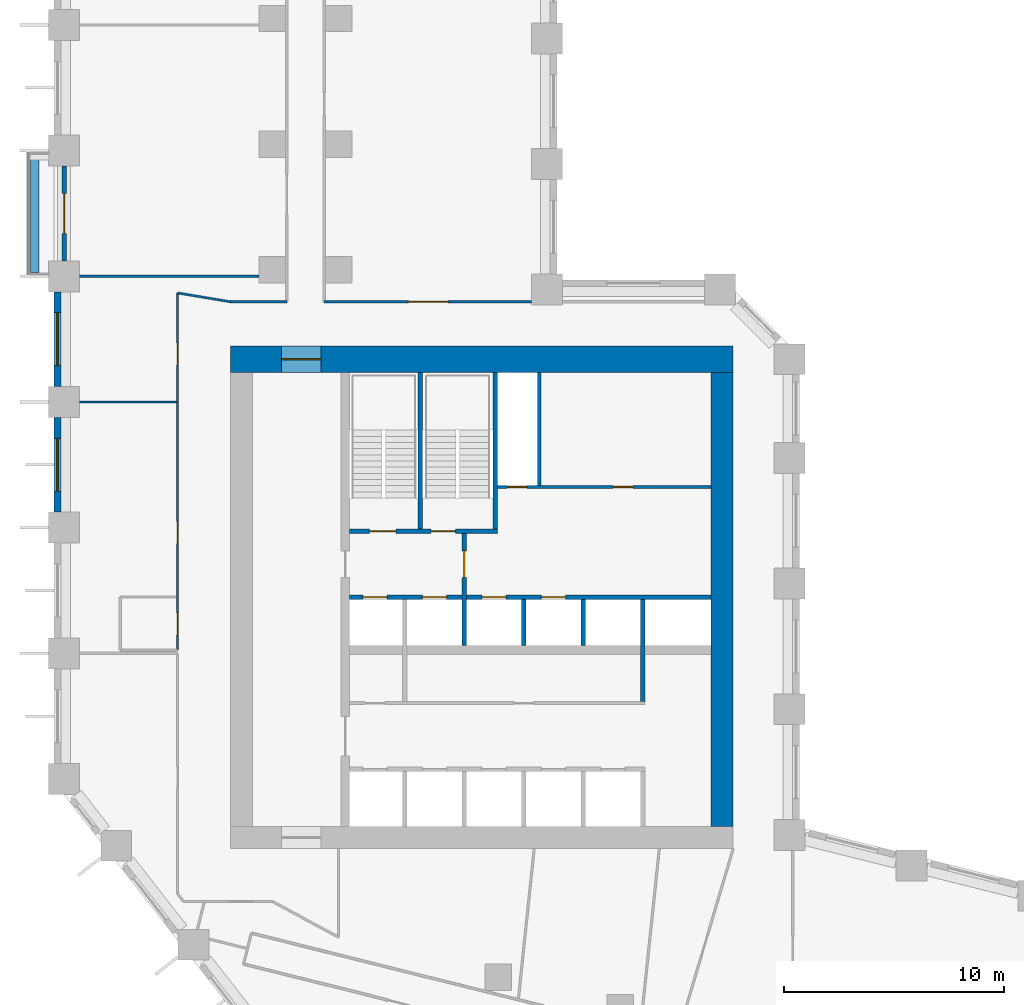
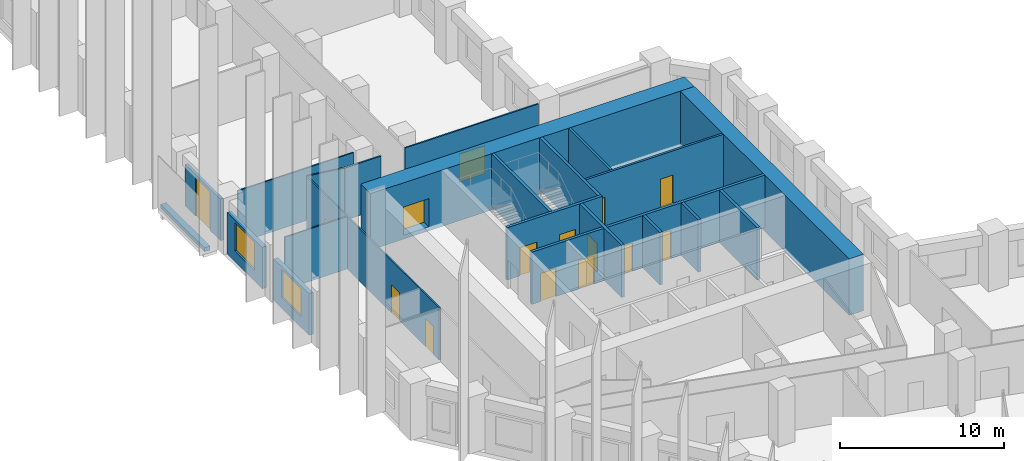
# One storey, part 5 of 11: 22 walls, 15 doors, 2 windows, 17 openings.
"""IFC4 building model written with IfcOpenShell, lengths in metres."""

from ifc_helpers import new_model, si_unit, direction, frame, frame_2d, origin, place, context, subcontext, project, spatial, rectangle, extrude, material, layer, layer_set, type_object, element, fill, save


model = new_model("IFC4")

# Units and contexts
model_context = context("Model", 3, precision=1e-05, world=origin(), true_north=direction((0.0, 1.0)))
body_context = subcontext(model_context, "Body", "Model", "MODEL_VIEW")
ifc_project = project(units=[si_unit("LENGTHUNIT", "METRE"), si_unit("AREAUNIT", "SQUARE_METRE"), si_unit("VOLUMEUNIT", "CUBIC_METRE"), si_unit("PLANEANGLEUNIT", "RADIAN"), si_unit("MASSUNIT", "GRAM", prefix="KILO")], contexts=[model_context])

# Site, building, storey
site_placement = place(None, origin())
site = spatial("IfcSite", under=ifc_project, at=site_placement, CompositionType="ELEMENT")
building_placement = place(site_placement, origin())
building = spatial("IfcBuilding", under=site, at=building_placement, Name="Meshkara Civic Tower", CompositionType="ELEMENT")
storey_placement = place(building_placement, frame((0.0, 0.0, 49.800048828125)))
storey = spatial("IfcBuildingStorey", under=building, at=storey_placement, Name="L10", CompositionType="ELEMENT", Elevation=49.800048828125)

# Wall, openings, doors
ifc_material_1 = material(Name="Blockwork", Category="masonry")
ifc_layer_1 = layer(ifc_material_1, 0.14990234375)
ifc_layer_set_1 = layer_set([ifc_layer_1], Name="Core partition 150")
wall_type_1 = type_object("IfcWallType", Name="Core partition 150", PredefinedType="PARTITIONING", material=ifc_layer_set_1)
wall_1_placement = place(storey_placement, frame((20.10009765625, 30.5, 0.0), z_axis=(0.0, 0.0, 1.0), x_axis=(1.0, 0.0, 0.0)))
wall_1 = element("IfcWall", 1, at=wall_1_placement, inside=storey, type_object=wall_type_1, Name="L10-C010", PredefinedType="PARTITIONING", context=body_context, shape_type="SweptSolid", body=[
    extrude(rectangle(XDim=9.699951171875, YDim=0.14990234375, at=frame_2d((4.85009765625, 0.0))), origin(), (0.0, 0.0, 1.0), 3.89990234375),
])
opening_1_placement = place(wall_1_placement, frame((0.449951171875, 0.0, 0.0)))
opening_1 = element("IfcOpeningElement", 2, at=opening_1_placement, cuts=wall_1, Name="Opening L10-K012", PredefinedType="OPENING", context=body_context, shape_type="SweptSolid", body=[
    extrude(rectangle(XDim=0.89990234375, YDim=2.10009765625, at=frame_2d((0.449951171875, 1.050048828125))), frame((0.0, 0.0849609375, 0.0), z_axis=(0.0, -1.0, 0.0), x_axis=(1.0, 0.0, 0.0)), (0.0, 0.0, 1.0), 0.169921875),
])
opening_2_placement = place(wall_1_placement, frame((5.25, 0.0, 0.0)))
opening_2 = element("IfcOpeningElement", 3, at=opening_2_placement, cuts=wall_1, Name="Opening L10-K013", PredefinedType="OPENING", context=body_context, shape_type="SweptSolid", body=[
    extrude(rectangle(XDim=0.89990234375, YDim=2.10009765625, at=frame_2d((0.449951171875, 1.050048828125))), frame((0.0, 0.0849609375, 0.0), z_axis=(0.0, -1.0, 0.0), x_axis=(1.0, 0.0, 0.0)), (0.0, 0.0, 1.0), 0.169921875),
])
ifc_material_2 = material(Name="Timber door leaf in steel frame", Category="steel")
door_type_1 = type_object("IfcDoorType", Name="Core room door 900", OperationType="SINGLE_SWING_LEFT", PredefinedType="DOOR", material=ifc_material_2)
door_1_placement = place(opening_2_placement, origin())
door_1 = element("IfcDoor", 4, at=door_1_placement, inside=storey, type_object=door_type_1, Name="L10-K013", OperationType="SINGLE_SWING_LEFT", OverallHeight=2.10009765625, OverallWidth=0.89990234375, PredefinedType="DOOR", context=body_context, shape_type="SweptSolid", body=[
    extrude(rectangle(XDim=0.89990234375, YDim=2.10009765625, at=frame_2d((0.449951171875, 1.050048828125))), frame((0.0, 0.02490234375, 0.0), z_axis=(0.0, -1.0, 0.0), x_axis=(1.0, 0.0, 0.0)), (0.0, 0.0, 1.0), 0.050048828125),
])
fill(opening_2, door_1)
ifc_material_3 = material(Name="Fire-rated door leaf in steel frame", Category="steel")
door_type_2 = type_object("IfcDoorType", Name="Riser door 900", OperationType="SINGLE_SWING_LEFT", PredefinedType="DOOR", material=ifc_material_3)
door_2_placement = place(opening_1_placement, origin())
door_2 = element("IfcDoor", 5, at=door_2_placement, inside=storey, type_object=door_type_2, Name="L10-K012", OperationType="SINGLE_SWING_RIGHT", OverallHeight=2.10009765625, OverallWidth=0.89990234375, PredefinedType="DOOR", context=body_context, shape_type="SweptSolid", body=[
    extrude(rectangle(XDim=0.89990234375, YDim=2.10009765625, at=frame_2d((0.449951171875, 1.050048828125))), frame((0.0, 0.02490234375, 0.0), z_axis=(0.0, -1.0, 0.0), x_axis=(1.0, 0.0, 0.0)), (0.0, 0.0, 1.0), 0.050048828125),
])
fill(opening_1, door_2)

# Walls
wall_2_placement = place(storey_placement, frame((22.0, 30.574951171875, 0.0), z_axis=(0.0, 0.0, 1.0), x_axis=(0.0, 1.0, 0.0)))
element("IfcWall", 6, at=wall_2_placement, inside=storey, type_object=wall_type_1, Name="L10-C020", PredefinedType="PARTITIONING", context=body_context, shape_type="SweptSolid", body=[
    extrude(rectangle(XDim=5.125, YDim=0.14990234375, at=frame_2d((2.5625, 0.0))), origin(), (0.0, 0.0, 1.0), 3.89990234375),
])
ifc_material_4 = material(Name="Concrete C80", Category="concrete")
ifc_layer_2 = layer(ifc_material_4, 1.0)
ifc_layer_set_2 = layer_set([ifc_layer_2], Name="Core ring wall 1000 C80")
wall_type_2 = type_object("IfcWallType", Name="Core ring wall 1000 C80", PredefinedType="SHEAR", material=ifc_layer_set_2)
wall_3_placement = place(storey_placement, frame((30.300048828125, 15.10009765625, -0.300048828125), z_axis=(0.0, 0.0, 1.0), x_axis=(0.0, 1.0, 0.0)))
element("IfcWall", 7, at=wall_3_placement, inside=storey, type_object=wall_type_2, Name="L10-C004", PredefinedType="SHEAR", context=body_context, shape_type="SweptSolid", body=[
    extrude(rectangle(XDim=20.599853515625, YDim=1.0, at=frame_2d((10.2998046875, 0.0))), origin(), (0.0, 0.0, 1.0), 4.199951171875),
])

# Wall, opening, door
ifc_material_5 = material(Name="Concrete C80", Category="concrete")
ifc_layer_3 = layer(ifc_material_5, 1.199951171875)
ifc_layer_set_3 = layer_set([ifc_layer_3], Name="Core ring wall 1200 C80")
wall_type_3 = type_object("IfcWallType", Name="Core ring wall 1200 C80", PredefinedType="SHEAR", material=ifc_layer_set_3)
wall_4_placement = place(storey_placement, frame((8.0, 36.300048828125, -0.300048828125), z_axis=(0.0, 0.0, 1.0), x_axis=(1.0, 0.0, 0.0)))
wall_4 = element("IfcWall", 8, at=wall_4_placement, inside=storey, type_object=wall_type_3, Name="L10-C002", PredefinedType="SHEAR", context=body_context, shape_type="SweptSolid", body=[
    extrude(rectangle(XDim=22.800048828125, YDim=1.199951171875, at=frame_2d((11.39990234375, 0.0))), origin(), (0.0, 0.0, 1.0), 4.199951171875),
])
opening_3_placement = place(wall_4_placement, frame((2.300048828125, 0.0, 0.300048828125)))
opening_3 = element("IfcOpeningElement", 9, at=opening_3_placement, cuts=wall_4, Name="Opening L10-K019", PredefinedType="OPENING", context=body_context, shape_type="SweptSolid", body=[
    extrude(rectangle(XDim=1.800048828125, YDim=2.10009765625, at=frame_2d((0.89990234375, 1.050048828125))), frame((0.0, 0.60986328125, 0.0), z_axis=(0.0, -1.0, 0.0), x_axis=(1.0, 0.0, 0.0)), (0.0, 0.0, 1.0), 1.219970703125),
])
ifc_material_6 = material(Name="Fire-rated door leaf in steel frame", Category="steel")
door_type_3 = type_object("IfcDoorType", Name="Core double door 1800 EI 60", OperationType="DOUBLE_DOOR_SINGLE_SWING", PredefinedType="DOOR", material=ifc_material_6)
door_3_placement = place(opening_3_placement, origin())
door_3 = element("IfcDoor", 10, at=door_3_placement, inside=storey, type_object=door_type_3, Name="L10-K019", OperationType="DOUBLE_DOOR_SINGLE_SWING", OverallHeight=2.10009765625, OverallWidth=1.800048828125, PredefinedType="DOOR", context=body_context, shape_type="SweptSolid", body=[
    extrude(rectangle(XDim=1.800048828125, YDim=2.10009765625, at=frame_2d((0.89990234375, 1.050048828125))), frame((0.0, 0.02490234375, 0.0), z_axis=(0.0, -1.0, 0.0), x_axis=(1.0, 0.0, 0.0)), (0.0, 0.0, 1.0), 0.050048828125),
])
fill(opening_3, door_3)

# Wall, openings, doors
ifc_material_7 = material(Name="Corridor wall 100")
ifc_layer_4 = layer(ifc_material_7, 0.10009765625)
ifc_layer_set_4 = layer_set([ifc_layer_4], Name="Corridor wall 100")
wall_type_4 = type_object("IfcWallType", Name="Corridor wall 100", PredefinedType="PARTITIONING", material=ifc_layer_set_4)
wall_5_placement = place(storey_placement, frame((5.60009765625, 23.10498046875, 0.0), z_axis=(0.0, 0.0, 1.0), x_axis=(0.0, 1.0, 0.0)))
wall_5 = element("IfcWall", 11, at=wall_5_placement, inside=storey, type_object=wall_type_4, Name="L10-W005", PredefinedType="PARTITIONING", context=body_context, shape_type="SweptSolid", body=[
    extrude(rectangle(XDim=16.195068359375, YDim=0.10009765625, at=frame_2d((8.09765625, 0.0))), origin(), (0.0, 0.0, 1.0), 3.89990234375),
])
opening_4_placement = place(wall_5_placement, frame((4.830078125, 0.0, 0.0)))
opening_4 = element("IfcOpeningElement", 12, at=opening_4_placement, cuts=wall_5, Name="Opening L10-D018", PredefinedType="OPENING", context=body_context, shape_type="SweptSolid", body=[
    extrude(rectangle(XDim=1.0, YDim=2.10009765625, at=frame_2d((0.5, 1.050048828125))), frame((0.0, 0.06005859375, 0.0), z_axis=(0.0, -1.0, 0.0), x_axis=(1.0, 0.0, 0.0)), (0.0, 0.0, 1.0), 0.1201171875),
])
opening_5_placement = place(wall_5_placement, frame((0.679931640625, 0.0, 0.0)))
opening_5 = element("IfcOpeningElement", 13, at=opening_5_placement, cuts=wall_5, Name="Opening L10-D019", PredefinedType="OPENING", context=body_context, shape_type="SweptSolid", body=[
    extrude(rectangle(XDim=1.0, YDim=2.10009765625, at=frame_2d((0.5, 1.050048828125))), frame((0.0, 0.06005859375, 0.0), z_axis=(0.0, -1.0, 0.0), x_axis=(1.0, 0.0, 0.0)), (0.0, 0.0, 1.0), 0.1201171875),
])
opening_6_placement = place(wall_5_placement, frame((12.929931640625, 0.0, 0.0)))
opening_6 = element("IfcOpeningElement", 14, at=opening_6_placement, cuts=wall_5, Name="Opening L10-D020", PredefinedType="OPENING", context=body_context, shape_type="SweptSolid", body=[
    extrude(rectangle(XDim=1.0, YDim=2.10009765625, at=frame_2d((0.5, 1.050048828125))), frame((0.0, 0.06005859375, 0.0), z_axis=(0.0, -1.0, 0.0), x_axis=(1.0, 0.0, 0.0)), (0.0, 0.0, 1.0), 0.1201171875),
])
ifc_material_8 = material(Name="Door 1000 x 2100")
door_type_4 = type_object("IfcDoorType", Name="Door 1000 x 2100", OperationType="SINGLE_SWING_LEFT", PredefinedType="DOOR", material=ifc_material_8)
door_4_placement = place(opening_4_placement, origin())
door_4 = element("IfcDoor", 15, at=door_4_placement, inside=storey, type_object=door_type_4, Name="L10-D018", OperationType="SINGLE_SWING_LEFT", OverallHeight=2.10009765625, OverallWidth=1.0, PredefinedType="DOOR", context=body_context, shape_type="SweptSolid", body=[
    extrude(rectangle(XDim=1.0, YDim=2.10009765625, at=frame_2d((0.5, 1.050048828125))), frame((0.0, 0.02490234375, 0.0), z_axis=(0.0, -1.0, 0.0), x_axis=(1.0, 0.0, 0.0)), (0.0, 0.0, 1.0), 0.050048828125),
])
fill(opening_4, door_4)
door_5_placement = place(opening_5_placement, origin())
door_5 = element("IfcDoor", 16, at=door_5_placement, inside=storey, type_object=door_type_4, Name="L10-D019", OperationType="SINGLE_SWING_LEFT", OverallHeight=2.10009765625, OverallWidth=1.0, PredefinedType="DOOR", context=body_context, shape_type="SweptSolid", body=[
    extrude(rectangle(XDim=1.0, YDim=2.10009765625, at=frame_2d((0.5, 1.050048828125))), frame((0.0, 0.02490234375, 0.0), z_axis=(0.0, -1.0, 0.0), x_axis=(1.0, 0.0, 0.0)), (0.0, 0.0, 1.0), 0.050048828125),
])
fill(opening_5, door_5)
door_6_placement = place(opening_6_placement, origin())
door_6 = element("IfcDoor", 17, at=door_6_placement, inside=storey, type_object=door_type_4, Name="L10-D020", OperationType="SINGLE_SWING_LEFT", OverallHeight=2.10009765625, OverallWidth=1.0, PredefinedType="DOOR", context=body_context, shape_type="SweptSolid", body=[
    extrude(rectangle(XDim=1.0, YDim=2.10009765625, at=frame_2d((0.5, 1.050048828125))), frame((0.0, 0.02490234375, 0.0), z_axis=(0.0, -1.0, 0.0), x_axis=(1.0, 0.0, 0.0)), (0.0, 0.0, 1.0), 0.050048828125),
])
fill(opening_6, door_6)

# Walls
wall_6_placement = place(storey_placement, frame((8.0, 38.89990234375, 0.0), z_axis=(0.0, 0.0, 1.0), x_axis=(-0.986383073668, 0.16446407505, 0.0)))
element("IfcWall", 18, at=wall_6_placement, inside=storey, type_object=wall_type_4, Name="L10-W008", PredefinedType="PARTITIONING", context=body_context, shape_type="SweptSolid", body=[
    extrude(rectangle(XDim=2.43310546875, YDim=0.10009765625, at=frame_2d((1.216552734375, 0.0))), origin(), (0.0, 0.0, 1.0), 3.89990234375),
])
wall_7_placement = place(storey_placement, frame((10.550048828125, 38.89990234375, 0.0), z_axis=(0.0, 0.0, 1.0), x_axis=(-1.0, 0.0, 0.0)))
element("IfcWall", 19, at=wall_7_placement, inside=storey, type_object=wall_type_4, Name="L10-W013", PredefinedType="PARTITIONING", context=body_context, shape_type="SweptSolid", body=[
    extrude(rectangle(XDim=2.550048828125, YDim=0.10009765625, at=frame_2d((1.27490234375, 0.0))), origin(), (0.0, 0.0, 1.0), 3.89990234375),
])

# Wall, opening, door
wall_8_placement = place(storey_placement, frame((21.64990234375, 38.89990234375, 0.0), z_axis=(0.0, 0.0, 1.0), x_axis=(-1.0, 0.0, 0.0)))
wall_8 = element("IfcWall", 20, at=wall_8_placement, inside=storey, type_object=wall_type_4, Name="L10-W020", PredefinedType="PARTITIONING", context=body_context, shape_type="SweptSolid", body=[
    extrude(rectangle(XDim=9.39990234375, YDim=0.10009765625, at=frame_2d((4.699951171875, 0.0))), origin(), (0.0, 0.0, 1.0), 3.89990234375),
])
opening_7_placement = place(wall_8_placement, frame((3.780029296875, 0.0, 0.0)))
opening_7 = element("IfcOpeningElement", 21, at=opening_7_placement, cuts=wall_8, Name="Opening L10-D021", PredefinedType="OPENING", context=body_context, shape_type="SweptSolid", body=[
    extrude(rectangle(XDim=1.800048828125, YDim=2.10009765625, at=frame_2d((0.89990234375, 1.050048828125))), frame((0.0, 0.06005859375, 0.0), z_axis=(0.0, -1.0, 0.0), x_axis=(1.0, 0.0, 0.0)), (0.0, 0.0, 1.0), 0.1201171875),
])
ifc_material_9 = material(Name="Door pair 1800 x 2100")
door_type_5 = type_object("IfcDoorType", Name="Door pair 1800 x 2100", OperationType="SINGLE_SWING_LEFT", PredefinedType="DOOR", material=ifc_material_9)
door_7_placement = place(opening_7_placement, origin())
door_7 = element("IfcDoor", 22, at=door_7_placement, inside=storey, type_object=door_type_5, Name="L10-D021", OperationType="DOUBLE_DOOR_SINGLE_SWING", OverallHeight=2.10009765625, OverallWidth=1.800048828125, PredefinedType="DOOR", context=body_context, shape_type="SweptSolid", body=[
    extrude(rectangle(XDim=1.800048828125, YDim=2.10009765625, at=frame_2d((0.89990234375, 1.050048828125))), frame((0.0, 0.02490234375, 0.0), z_axis=(0.0, -1.0, 0.0), x_axis=(1.0, 0.0, 0.0)), (0.0, 0.0, 1.0), 0.050048828125),
])
fill(opening_7, door_7)

# Wall, opening, window
ifc_material_10 = material(Name="Insulated infill panel with bronze anodised aluminium cladding", Category="aluminium")
ifc_layer_5 = layer(ifc_material_10, 0.300048828125)
ifc_layer_set_5 = layer_set([ifc_layer_5], Name="EXTERNAL INFILL WALL 300")
wall_type_5 = type_object("IfcWallType", Name="EXTERNAL INFILL WALL 300", PredefinedType="SOLIDWALL", material=ifc_layer_set_5)
wall_9_placement = place(storey_placement, frame((0.14990234375, 39.35498046875, 0.0), z_axis=(0.0, 0.0, 1.0), x_axis=(0.0, -1.0, 0.0)))
wall_9 = element("IfcWall", 23, at=wall_9_placement, inside=storey, type_object=wall_type_5, Name="External wall", PredefinedType="SOLIDWALL", context=body_context, shape_type="SweptSolid", body=[
    extrude(rectangle(XDim=4.300048828125, YDim=0.300048828125, at=frame_2d((2.14990234375, 0.0))), origin(), (0.0, 0.0, 1.0), 3.099853515625),
])
opening_8_placement = place(wall_9_placement, frame((0.949951171875, 0.0, 0.800048828125)))
opening_8 = element("IfcOpeningElement", 24, at=opening_8_placement, cuts=wall_9, Name="Opening W7", PredefinedType="OPENING", context=body_context, shape_type="SweptSolid", body=[
    extrude(rectangle(XDim=2.39990234375, YDim=2.10009765625, at=frame_2d((1.199951171875, 1.050048828125))), frame((0.0, 0.159912109375, 0.0), z_axis=(0.0, -1.0, 0.0), x_axis=(1.0, 0.0, 0.0)), (0.0, 0.0, 1.0), 0.320068359375),
])
ifc_material_11 = material(Name="Tinted double glazing", Category="glass")
window_type = type_object("IfcWindowType", Name="WINDOW 2400x2100", PartitioningType="DOUBLE_PANEL_VERTICAL", PredefinedType="WINDOW", material=ifc_material_11)
window_1_placement = place(opening_8_placement, origin())
window_1 = element("IfcWindow", 25, at=window_1_placement, inside=storey, type_object=window_type, Name="Window", OverallHeight=2.10009765625, OverallWidth=2.39990234375, PartitioningType="DOUBLE_PANEL_VERTICAL", PredefinedType="WINDOW", context=body_context, shape_type="SweptSolid", body=[
    extrude(rectangle(XDim=2.39990234375, YDim=2.10009765625, at=frame_2d((1.199951171875, 1.050048828125))), frame((0.0, 0.030029296875, 0.0), z_axis=(0.0, -1.0, 0.0), x_axis=(1.0, 0.0, 0.0)), (0.0, 0.0, 1.0), 0.06005859375),
])
fill(opening_8, window_1)

wall_10_placement = place(storey_placement, frame((0.14990234375, 33.655029296875, 0.0), z_axis=(0.0, 0.0, 1.0), x_axis=(0.0, -1.0, 0.0)))
wall_10 = element("IfcWall", 26, at=wall_10_placement, inside=storey, type_object=wall_type_5, Name="External wall", PredefinedType="SOLIDWALL", context=body_context, shape_type="SweptSolid", body=[
    extrude(rectangle(XDim=4.300048828125, YDim=0.300048828125, at=frame_2d((2.14990234375, 0.0))), origin(), (0.0, 0.0, 1.0), 3.099853515625),
])
opening_9_placement = place(wall_10_placement, frame((0.949951171875, 0.0, 0.800048828125)))
opening_9 = element("IfcOpeningElement", 27, at=opening_9_placement, cuts=wall_10, Name="Opening W7", PredefinedType="OPENING", context=body_context, shape_type="SweptSolid", body=[
    extrude(rectangle(XDim=2.39990234375, YDim=2.10009765625, at=frame_2d((1.199951171875, 1.050048828125))), frame((0.0, 0.159912109375, 0.0), z_axis=(0.0, -1.0, 0.0), x_axis=(1.0, 0.0, 0.0)), (0.0, 0.0, 1.0), 0.320068359375),
])
window_2_placement = place(opening_9_placement, origin())
window_2 = element("IfcWindow", 28, at=window_2_placement, inside=storey, type_object=window_type, Name="Window", OverallHeight=2.10009765625, OverallWidth=2.39990234375, PartitioningType="DOUBLE_PANEL_VERTICAL", PredefinedType="WINDOW", context=body_context, shape_type="SweptSolid", body=[
    extrude(rectangle(XDim=2.39990234375, YDim=2.10009765625, at=frame_2d((1.199951171875, 1.050048828125))), frame((0.0, 0.030029296875, 0.0), z_axis=(0.0, -1.0, 0.0), x_axis=(1.0, 0.0, 0.0)), (0.0, 0.0, 1.0), 0.06005859375),
])
fill(opening_9, window_2)

# Wall, opening, door
ifc_material_12 = material(Name="Insulated infill panel with bronze anodised aluminium cladding", Category="aluminium")
ifc_layer_6 = layer(ifc_material_12, 0.199951171875)
ifc_layer_set_6 = layer_set([ifc_layer_6], Name="LOGGIA BACK WALL 200")
wall_type_6 = type_object("IfcWallType", Name="LOGGIA BACK WALL 200", PredefinedType="SOLIDWALL", material=ifc_layer_set_6)
wall_11_placement = place(storey_placement, frame((0.449951171875, 45.053955078125, 0.0), z_axis=(0.0, 0.0, 1.0), x_axis=(0.0, -1.0, 0.0)))
wall_11 = element("IfcWall", 29, at=wall_11_placement, inside=storey, type_object=wall_type_6, Name="Loggia wall", PredefinedType="SOLIDWALL", context=body_context, shape_type="SweptSolid", body=[
    extrude(rectangle(XDim=4.2978515625, YDim=0.199951171875, at=frame_2d((2.14892578125, 0.0))), origin(), (0.0, 0.0, 1.0), 3.099853515625),
])
opening_10_placement = place(wall_11_placement, frame((1.2490234375, 0.0, 0.0)))
opening_10 = element("IfcOpeningElement", 30, at=opening_10_placement, cuts=wall_11, Name="Opening L10-L002", PredefinedType="OPENING", context=body_context, shape_type="SweptSolid", body=[
    extrude(rectangle(XDim=1.800048828125, YDim=2.89990234375, at=frame_2d((0.89990234375, 1.449951171875))), frame((0.0, 0.10986328125, 0.0), z_axis=(0.0, -1.0, 0.0), x_axis=(1.0, 0.0, 0.0)), (0.0, 0.0, 1.0), 0.219970703125),
])
ifc_material_13 = material(Name="Tinted double glazing", Category="glass")
door_type_6 = type_object("IfcDoorType", Name="LOGGIA DOOR 1800x2900", OperationType="DOUBLE_DOOR_SINGLE_SWING", PredefinedType="DOOR", material=ifc_material_13)
door_8_placement = place(opening_10_placement, origin())
door_8 = element("IfcDoor", 31, at=door_8_placement, inside=storey, type_object=door_type_6, Name="L10-L002", OperationType="DOUBLE_DOOR_SINGLE_SWING", OverallHeight=2.89990234375, OverallWidth=1.800048828125, PredefinedType="DOOR", context=body_context, shape_type="SweptSolid", body=[
    extrude(rectangle(XDim=1.800048828125, YDim=2.89990234375, at=frame_2d((0.89990234375, 1.449951171875))), frame((0.0, 0.02490234375, 0.0), z_axis=(0.0, -1.0, 0.0), x_axis=(1.0, 0.0, 0.0)), (0.0, 0.0, 1.0), 0.050048828125),
])
fill(opening_10, door_8)

# Walls
ifc_material_14 = material(Name="Concrete C40", Category="concrete")
ifc_layer_7 = layer(ifc_material_14, 0.39990234375)
ifc_layer_set_7 = layer_set([ifc_layer_7], Name="PLANTER TRAY")
wall_type_7 = type_object("IfcWallType", Name="PLANTER TRAY", PredefinedType="SOLIDWALL", material=ifc_layer_set_7)
wall_12_placement = place(storey_placement, frame((-0.8798828125, 45.5849609375, 0.0), z_axis=(0.0, 0.0, 1.0), x_axis=(0.0, -1.0, 0.0)))
element("IfcWall", 32, at=wall_12_placement, inside=storey, type_object=wall_type_7, Name="Planter", PredefinedType="SOLIDWALL", context=body_context, shape_type="SweptSolid", body=[
    extrude(rectangle(XDim=5.35986328125, YDim=0.39990234375, at=frame_2d((2.679931640625, 0.0))), origin(), (0.0, 0.0, 1.0), 0.300048828125),
])
ifc_material_15 = material(Name="Partition 100")
ifc_layer_8 = layer(ifc_material_15, 0.10009765625)
ifc_layer_set_8 = layer_set([ifc_layer_8], Name="Partition 100")
wall_type_8 = type_object("IfcWallType", Name="Partition 100", PredefinedType="PARTITIONING", material=ifc_layer_set_8)
wall_13_placement = place(storey_placement, frame((5.550048828125, 34.35498046875, 0.0), z_axis=(0.0, 0.0, 1.0), x_axis=(-1.0, 0.0, 0.0)))
element("IfcWall", 33, at=wall_13_placement, inside=storey, type_object=wall_type_8, Name="L10-W035", PredefinedType="PARTITIONING", context=body_context, shape_type="SweptSolid", body=[
    extrude(rectangle(XDim=4.400146484375, YDim=0.10009765625, at=frame_2d((2.2001953125, 0.0))), origin(), (0.0, 0.0, 1.0), 3.89990234375),
])
wall_14_placement = place(storey_placement, frame((9.300048828125, 40.054931640625, 0.0), z_axis=(0.0, 0.0, 1.0), x_axis=(-1.0, 0.0, 0.0)))
element("IfcWall", 34, at=wall_14_placement, inside=storey, type_object=wall_type_8, Name="L10-W040", PredefinedType="PARTITIONING", context=body_context, shape_type="SweptSolid", body=[
    extrude(rectangle(XDim=8.150146484375, YDim=0.10009765625, at=frame_2d((4.0751953125, 0.0))), origin(), (0.0, 0.0, 1.0), 3.89990234375),
])

# Wall, openings, doors
ifc_material_16 = material(Name="Concrete C40/50", Category="concrete")
ifc_layer_9 = layer(ifc_material_16, 0.199951171875)
ifc_layer_set_9 = layer_set([ifc_layer_9], Name="Shaft wall 200 C40/50")
wall_type_9 = type_object("IfcWallType", Name="Shaft wall 200 C40/50", PredefinedType="SOLIDWALL", material=ifc_layer_set_9)
wall_15_placement = place(storey_placement, frame((13.39990234375, 25.5, 0.0), z_axis=(0.0, 0.0, 1.0), x_axis=(1.0, 0.0, 0.0)))
wall_15 = element("IfcWall", 35, at=wall_15_placement, inside=storey, type_object=wall_type_9, Name="L10-C008", PredefinedType="SOLIDWALL", context=body_context, shape_type="SweptSolid", body=[
    extrude(rectangle(XDim=16.400146484375, YDim=0.199951171875, at=frame_2d((8.2001953125, 0.0))), origin(), (0.0, 0.0, 1.0), 3.89990234375),
])
opening_11_placement = place(wall_15_placement, frame((0.60009765625, 0.0, 0.0)))
opening_11 = element("IfcOpeningElement", 36, at=opening_11_placement, cuts=wall_15, Name="Opening L10-K006", PredefinedType="OPENING", context=body_context, shape_type="SweptSolid", body=[
    extrude(rectangle(XDim=1.10009765625, YDim=2.10009765625, at=frame_2d((0.550048828125, 1.050048828125))), frame((0.0, 0.10986328125, 0.0), z_axis=(0.0, -1.0, 0.0), x_axis=(1.0, 0.0, 0.0)), (0.0, 0.0, 1.0), 0.219970703125),
])
opening_12_placement = place(wall_15_placement, frame((3.300048828125, 0.0, 0.0)))
opening_12 = element("IfcOpeningElement", 37, at=opening_12_placement, cuts=wall_15, Name="Opening L10-K007", PredefinedType="OPENING", context=body_context, shape_type="SweptSolid", body=[
    extrude(rectangle(XDim=1.10009765625, YDim=2.10009765625, at=frame_2d((0.550048828125, 1.050048828125))), frame((0.0, 0.10986328125, 0.0), z_axis=(0.0, -1.0, 0.0), x_axis=(1.0, 0.0, 0.0)), (0.0, 0.0, 1.0), 0.219970703125),
])
opening_13_placement = place(wall_15_placement, frame((6.0, 0.0, 0.0)))
opening_13 = element("IfcOpeningElement", 38, at=opening_13_placement, cuts=wall_15, Name="Opening L10-K008", PredefinedType="OPENING", context=body_context, shape_type="SweptSolid", body=[
    extrude(rectangle(XDim=1.10009765625, YDim=2.10009765625, at=frame_2d((0.550048828125, 1.050048828125))), frame((0.0, 0.10986328125, 0.0), z_axis=(0.0, -1.0, 0.0), x_axis=(1.0, 0.0, 0.0)), (0.0, 0.0, 1.0), 0.219970703125),
])
opening_14_placement = place(wall_15_placement, frame((8.699951171875, 0.0, 0.0)))
opening_14 = element("IfcOpeningElement", 39, at=opening_14_placement, cuts=wall_15, Name="Opening L10-K009", PredefinedType="OPENING", context=body_context, shape_type="SweptSolid", body=[
    extrude(rectangle(XDim=1.10009765625, YDim=2.10009765625, at=frame_2d((0.550048828125, 1.050048828125))), frame((0.0, 0.10986328125, 0.0), z_axis=(0.0, -1.0, 0.0), x_axis=(1.0, 0.0, 0.0)), (0.0, 0.0, 1.0), 0.219970703125),
])
ifc_material_17 = material(Name="Stainless steel landing door", Category="steel")
door_type_7 = type_object("IfcDoorType", Name="Lift landing door 1100", OperationType="SLIDING_TO_LEFT", PredefinedType="DOOR", material=ifc_material_17)
door_9_placement = place(opening_11_placement, origin())
door_9 = element("IfcDoor", 40, at=door_9_placement, inside=storey, type_object=door_type_7, Name="L10-K006", OperationType="SLIDING_TO_LEFT", OverallHeight=2.10009765625, OverallWidth=1.10009765625, PredefinedType="DOOR", context=body_context, shape_type="SweptSolid", body=[
    extrude(rectangle(XDim=1.10009765625, YDim=2.10009765625, at=frame_2d((0.550048828125, 1.050048828125))), frame((0.0, 0.02490234375, 0.0), z_axis=(0.0, -1.0, 0.0), x_axis=(1.0, 0.0, 0.0)), (0.0, 0.0, 1.0), 0.050048828125),
])
fill(opening_11, door_9)
door_10_placement = place(opening_12_placement, origin())
door_10 = element("IfcDoor", 41, at=door_10_placement, inside=storey, type_object=door_type_7, Name="L10-K007", OperationType="SLIDING_TO_LEFT", OverallHeight=2.10009765625, OverallWidth=1.10009765625, PredefinedType="DOOR", context=body_context, shape_type="SweptSolid", body=[
    extrude(rectangle(XDim=1.10009765625, YDim=2.10009765625, at=frame_2d((0.550048828125, 1.050048828125))), frame((0.0, 0.02490234375, 0.0), z_axis=(0.0, -1.0, 0.0), x_axis=(1.0, 0.0, 0.0)), (0.0, 0.0, 1.0), 0.050048828125),
])
fill(opening_12, door_10)
door_11_placement = place(opening_13_placement, origin())
door_11 = element("IfcDoor", 42, at=door_11_placement, inside=storey, type_object=door_type_7, Name="L10-K008", OperationType="SLIDING_TO_LEFT", OverallHeight=2.10009765625, OverallWidth=1.10009765625, PredefinedType="DOOR", context=body_context, shape_type="SweptSolid", body=[
    extrude(rectangle(XDim=1.10009765625, YDim=2.10009765625, at=frame_2d((0.550048828125, 1.050048828125))), frame((0.0, 0.02490234375, 0.0), z_axis=(0.0, -1.0, 0.0), x_axis=(1.0, 0.0, 0.0)), (0.0, 0.0, 1.0), 0.050048828125),
])
fill(opening_13, door_11)
door_12_placement = place(opening_14_placement, origin())
door_12 = element("IfcDoor", 43, at=door_12_placement, inside=storey, type_object=door_type_7, Name="L10-K009", OperationType="SLIDING_TO_LEFT", OverallHeight=2.10009765625, OverallWidth=1.10009765625, PredefinedType="DOOR", context=body_context, shape_type="SweptSolid", body=[
    extrude(rectangle(XDim=1.10009765625, YDim=2.10009765625, at=frame_2d((0.550048828125, 1.050048828125))), frame((0.0, 0.02490234375, 0.0), z_axis=(0.0, -1.0, 0.0), x_axis=(1.0, 0.0, 0.0)), (0.0, 0.0, 1.0), 0.050048828125),
])
fill(opening_14, door_12)

# Wall, opening, door
wall_16_placement = place(storey_placement, frame((18.60009765625, 23.300048828125, 0.0), z_axis=(0.0, 0.0, 1.0), x_axis=(0.0, 1.0, 0.0)))
wall_16 = element("IfcWall", 44, at=wall_16_placement, inside=storey, type_object=wall_type_9, Name="L10-C016", PredefinedType="SOLIDWALL", context=body_context, shape_type="SweptSolid", body=[
    extrude(rectangle(XDim=5.099853515625, YDim=0.199951171875, at=frame_2d((2.5498046875, 0.0))), origin(), (0.0, 0.0, 1.0), 3.89990234375),
])
opening_15_placement = place(wall_16_placement, frame((3.10009765625, 0.0, 0.0)))
opening_15 = element("IfcOpeningElement", 45, at=opening_15_placement, cuts=wall_16, Name="Opening L10-K018", PredefinedType="OPENING", context=body_context, shape_type="SweptSolid", body=[
    extrude(rectangle(XDim=1.199951171875, YDim=2.10009765625, at=frame_2d((0.60009765625, 1.050048828125))), frame((0.0, 0.10986328125, 0.0), z_axis=(0.0, -1.0, 0.0), x_axis=(1.0, 0.0, 0.0)), (0.0, 0.0, 1.0), 0.219970703125),
])
ifc_material_18 = material(Name="Fire-rated door leaf in steel frame", Category="steel")
door_type_8 = type_object("IfcDoorType", Name="Fire-fighting lobby door 1200 EI 120", OperationType="SINGLE_SWING_LEFT", PredefinedType="DOOR", material=ifc_material_18)
door_13_placement = place(opening_15_placement, origin())
door_13 = element("IfcDoor", 46, at=door_13_placement, inside=storey, type_object=door_type_8, Name="L10-K018", OperationType="SINGLE_SWING_RIGHT", OverallHeight=2.10009765625, OverallWidth=1.199951171875, PredefinedType="DOOR", context=body_context, shape_type="SweptSolid", body=[
    extrude(rectangle(XDim=1.199951171875, YDim=2.10009765625, at=frame_2d((0.60009765625, 1.050048828125))), frame((0.0, 0.02490234375, 0.0), z_axis=(0.0, -1.0, 0.0), x_axis=(1.0, 0.0, 0.0)), (0.0, 0.0, 1.0), 0.050048828125),
])
fill(opening_15, door_13)

# Walls
for number, where, z_axis, x_axis, name in (
    (47, (21.300048828125, 23.300048828125, 0.0), (0.0, 0.0, 1.0), (0.0, 1.0, 0.0), "L10-C019"),
    (48, (24.0, 23.300048828125, 0.0), (0.0, 0.0, 1.0), (0.0, 1.0, 0.0), "L10-C022"),
):
    element("IfcWall", number, at=place(storey_placement, frame(where, z_axis=z_axis, x_axis=x_axis)), inside=storey, type_object=wall_type_9, Name=name, PredefinedType="SOLIDWALL", context=body_context, shape_type="SweptSolid", body=[
        extrude(rectangle(XDim=2.099853515625, YDim=0.199951171875, at=frame_2d((1.0498046875, 0.0))), origin(), (0.0, 0.0, 1.0), 3.89990234375),
    ])
wall_17_placement = place(storey_placement, frame((26.699951171875, 20.77490234375, 0.0), z_axis=(0.0, 0.0, 1.0), x_axis=(0.0, 1.0, 0.0)))
element("IfcWall", 49, at=wall_17_placement, inside=storey, type_object=wall_type_9, Name="L10-C024", PredefinedType="SOLIDWALL", context=body_context, shape_type="SweptSolid", body=[
    extrude(rectangle(XDim=4.625, YDim=0.199951171875, at=frame_2d((2.3125, 0.0))), origin(), (0.0, 0.0, 1.0), 3.89990234375),
])

# Wall, openings, doors
ifc_material_19 = material(Name="Concrete C40/50", Category="concrete")
ifc_layer_10 = layer(ifc_material_19, 0.199951171875)
ifc_layer_set_10 = layer_set([ifc_layer_10], Name="Stair enclosure wall 200 C40/50")
wall_type_10 = type_object("IfcWallType", Name="Stair enclosure wall 200 C40/50", PredefinedType="SOLIDWALL", material=ifc_layer_set_10)
wall_18_placement = place(storey_placement, frame((13.39990234375, 28.5, 0.0), z_axis=(0.0, 0.0, 1.0), x_axis=(1.0, 0.0, 0.0)))
wall_18 = element("IfcWall", 50, at=wall_18_placement, inside=storey, type_object=wall_type_10, Name="L10-C009", PredefinedType="SOLIDWALL", context=body_context, shape_type="SweptSolid", body=[
    extrude(rectangle(XDim=6.7001953125, YDim=0.199951171875, at=frame_2d((3.35009765625, 0.0))), origin(), (0.0, 0.0, 1.0), 3.89990234375),
])
opening_16_placement = place(wall_18_placement, frame((0.89990234375, 0.0, 0.0)))
opening_16 = element("IfcOpeningElement", 51, at=opening_16_placement, cuts=wall_18, Name="Opening L10-K014", PredefinedType="OPENING", context=body_context, shape_type="SweptSolid", body=[
    extrude(rectangle(XDim=1.199951171875, YDim=2.10009765625, at=frame_2d((0.60009765625, 1.050048828125))), frame((0.0, 0.10986328125, 0.0), z_axis=(0.0, -1.0, 0.0), x_axis=(1.0, 0.0, 0.0)), (0.0, 0.0, 1.0), 0.219970703125),
])
opening_17_placement = place(wall_18_placement, frame((3.699951171875, 0.0, 0.0)))
opening_17 = element("IfcOpeningElement", 52, at=opening_17_placement, cuts=wall_18, Name="Opening L10-K015", PredefinedType="OPENING", context=body_context, shape_type="SweptSolid", body=[
    extrude(rectangle(XDim=1.10009765625, YDim=2.10009765625, at=frame_2d((0.550048828125, 1.050048828125))), frame((0.0, 0.10986328125, 0.0), z_axis=(0.0, -1.0, 0.0), x_axis=(1.0, 0.0, 0.0)), (0.0, 0.0, 1.0), 0.219970703125),
])
ifc_material_20 = material(Name="Fire-rated door leaf in steel frame", Category="steel")
door_type_9 = type_object("IfcDoorType", Name="Stair door 1100 EI 120", OperationType="SINGLE_SWING_LEFT", PredefinedType="DOOR", material=ifc_material_20)
door_14_placement = place(opening_17_placement, origin())
door_14 = element("IfcDoor", 53, at=door_14_placement, inside=storey, type_object=door_type_9, Name="L10-K015", OperationType="SINGLE_SWING_LEFT", OverallHeight=2.10009765625, OverallWidth=1.10009765625, PredefinedType="DOOR", context=body_context, shape_type="SweptSolid", body=[
    extrude(rectangle(XDim=1.10009765625, YDim=2.10009765625, at=frame_2d((0.550048828125, 1.050048828125))), frame((0.0, 0.02490234375, 0.0), z_axis=(0.0, -1.0, 0.0), x_axis=(1.0, 0.0, 0.0)), (0.0, 0.0, 1.0), 0.050048828125),
])
fill(opening_17, door_14)
ifc_material_21 = material(Name="Fire-rated door leaf in steel frame", Category="steel")
door_type_10 = type_object("IfcDoorType", Name="Stair door 1200 EI 120", OperationType="SINGLE_SWING_LEFT", PredefinedType="DOOR", material=ifc_material_21)
door_15_placement = place(opening_16_placement, origin())
door_15 = element("IfcDoor", 54, at=door_15_placement, inside=storey, type_object=door_type_10, Name="L10-K014", OperationType="SINGLE_SWING_RIGHT", OverallHeight=2.10009765625, OverallWidth=1.199951171875, PredefinedType="DOOR", context=body_context, shape_type="SweptSolid", body=[
    extrude(rectangle(XDim=1.199951171875, YDim=2.10009765625, at=frame_2d((0.60009765625, 1.050048828125))), frame((0.0, 0.02490234375, 0.0), z_axis=(0.0, -1.0, 0.0), x_axis=(1.0, 0.0, 0.0)), (0.0, 0.0, 1.0), 0.050048828125),
])
fill(opening_16, door_15)

# Walls
for number, where, z_axis, x_axis, name in (
    (55, (16.60009765625, 28.60009765625, 0.0), (0.0, 0.0, 1.0), (0.0, 1.0, 0.0), "L10-C014"),
    (56, (20.0, 28.60009765625, 0.0), (0.0, 0.0, 1.0), (0.0, 1.0, 0.0), "L10-C017"),
):
    element("IfcWall", number, at=place(storey_placement, frame(where, z_axis=z_axis, x_axis=x_axis)), inside=storey, type_object=wall_type_10, Name=name, PredefinedType="SOLIDWALL", context=body_context, shape_type="SweptSolid", body=[
        extrude(rectangle(XDim=7.099853515625, YDim=0.199951171875, at=frame_2d((3.5498046875, 0.0))), origin(), (0.0, 0.0, 1.0), 3.89990234375),
    ])

save(model, "model.ifc")
